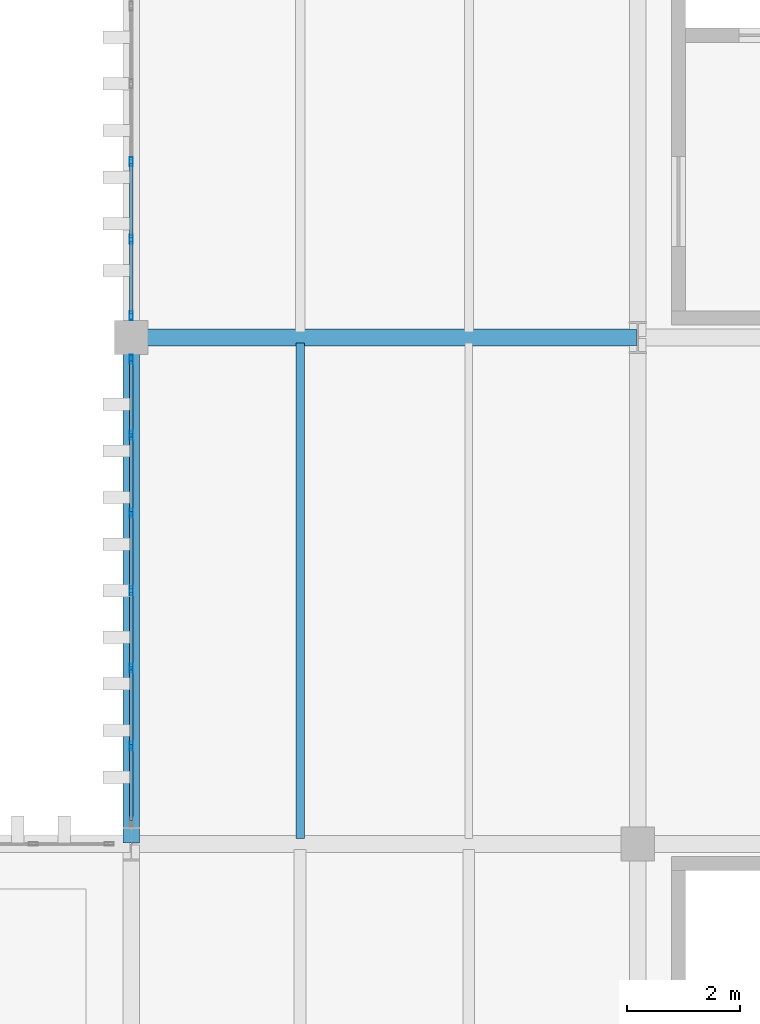
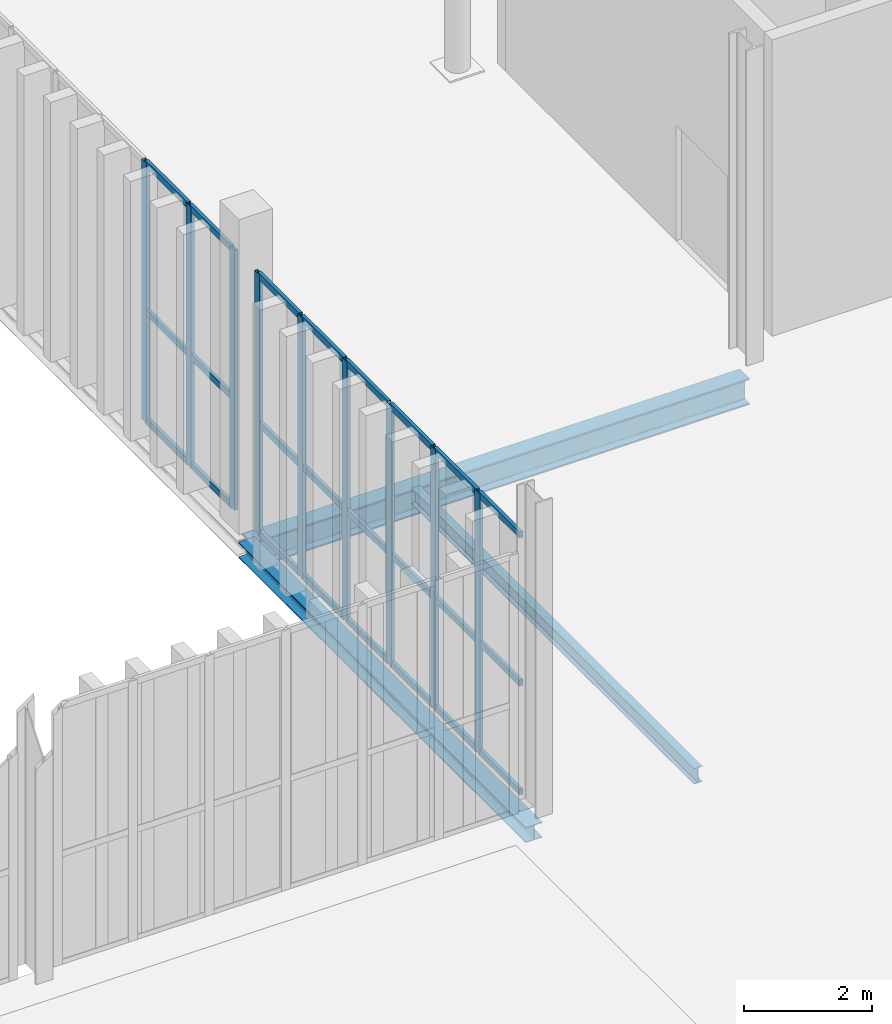
# One storey, part 115 of 211: 33 members, 3 beams, 2 elements without a shape of their own.
"""IFC4 building model written with IfcOpenShell, lengths in metres."""

import ifcopenshell
import ifcopenshell.guid

model = None  # the IFC model being written
_history = None  # IfcOwnerHistory: only IFC2X3 demands one
_inside = {}  # id of a spatial element -> (the spatial element, [elements in it])
_under = {}  # id of a project, library or spatial element -> (it, [spatial elements below it])
_declared = {}  # id of a project -> (the project, [libraries it declares])
_typed = {}  # id of a type object -> (the type object, [elements of that type])
_made_of = {}  # id of a material, layer set ... -> (it, [elements and type objects made of it])


def new_model(schema):
    """Start an empty IFC model of exactly this schema.

    Asked for "IFC4X3", IfcOpenShell would pick the latest addendum, in which some entities
    have other attributes; the version numbers below select the first issue.
    IFC2X3 requires an IfcOwnerHistory on every rooted entity: one is made here for all.
    """
    global model, _history
    if schema == "IFC4X3":
        model = ifcopenshell.file(schema_version=(4, 3, 0, 0))
    else:
        model = ifcopenshell.file(schema=schema)
    _inside.clear()
    _under.clear()
    _declared.clear()
    _typed.clear()
    _made_of.clear()
    _history = None
    if model.schema == "IFC2X3":
        org = make("IfcOrganization", Name="unknown")
        user = make(
            "IfcPersonAndOrganization",
            ThePerson=make("IfcPerson", FamilyName="unknown"),
            TheOrganization=org,
        )
        app = make(
            "IfcApplication",
            ApplicationDeveloper=org,
            Version="unknown",
            ApplicationFullName="unknown",
            ApplicationIdentifier="unknown",
        )
        _history = make(
            "IfcOwnerHistory",
            OwningUser=user,
            OwningApplication=app,
            ChangeAction="ADDED",
            CreationDate=0,
        )
    return model


def make(cls, **values):
    """One entity of the class cls with the attributes given. An attribute that is None is left unset."""
    return model.create_entity(
        cls, **{name: value for name, value in values.items() if value is not None}
    )


def rooted(cls, **values):
    """An entity with a GlobalId (a new one), such as an element, a storey or a relation."""
    return make(cls, GlobalId=ifcopenshell.guid.new(), OwnerHistory=_history, **values)


def si_unit(unit_type, name, prefix=None):
    """IfcSIUnit, for example si_unit("LENGTHUNIT", "METRE", prefix="MILLI")."""
    return make("IfcSIUnit", UnitType=unit_type, Prefix=prefix, Name=name)


def assignment(units):
    """IfcUnitAssignment: the units of a project."""
    return None if units is None else make("IfcUnitAssignment", Units=units)


def point(xyz):
    """IfcCartesianPoint."""
    return None if xyz is None else make("IfcCartesianPoint", Coordinates=xyz)


def direction(xyz):
    """IfcDirection."""
    return None if xyz is None else make("IfcDirection", DirectionRatios=xyz)


def frame(location, z_axis=None, x_axis=None):
    """IfcAxis2Placement3D, a coordinate frame: its origin and axes. An axis left out is left unset."""
    return make(
        "IfcAxis2Placement3D",
        Location=point(location),
        Axis=direction(z_axis),
        RefDirection=direction(x_axis),
    )


def frame_2d(location, x_axis=None):
    """IfcAxis2Placement2D, a coordinate frame in the plane: its origin and x axis."""
    return make(
        "IfcAxis2Placement2D", Location=point(location), RefDirection=direction(x_axis)
    )


def origin():
    """The frame at (0, 0, 0) with its axes left unset."""
    return frame((0.0, 0.0, 0.0))


def origin_2d():
    """The frame at (0, 0) in the plane with its x axis left unset."""
    return frame_2d((0.0, 0.0))


def place(relative_to, where):
    """IfcLocalPlacement: puts the frame where relative to a parent placement (None: the world)."""
    return make(
        "IfcLocalPlacement", PlacementRelTo=relative_to, RelativePlacement=where
    )


def context(
    kind, dimensions, precision=None, world=None, true_north=None, identifier=None
):
    """IfcGeometricRepresentationContext, for example the 3D "Model" context."""
    return make(
        "IfcGeometricRepresentationContext",
        ContextIdentifier=identifier,
        ContextType=kind,
        CoordinateSpaceDimension=dimensions,
        Precision=precision,
        WorldCoordinateSystem=world,
        TrueNorth=true_north,
    )


def subcontext(parent, identifier, kind, view, scale=None):
    """IfcGeometricRepresentationSubContext, for example "Body" below "Model"."""
    return make(
        "IfcGeometricRepresentationSubContext",
        ContextIdentifier=identifier,
        ContextType=kind,
        ParentContext=parent,
        TargetScale=scale,
        TargetView=view,
    )


def project(units=None, contexts=None):
    """IfcProject with its units and contexts."""
    return rooted(
        "IfcProject",
        Name="project",
        RepresentationContexts=contexts,
        UnitsInContext=assignment(units),
    )


def spatial(cls, under=None, at=None, **own):
    """A site, building, storey or space (cls), placed at a placement, below another one or the project."""
    s = rooted(cls, ObjectPlacement=at, **own)
    if under is not None:
        _under.setdefault(under.id(), (under, []))[1].append(s)
    return s


def profile(cls, at=None, kind="AREA", **sizes):
    """A parametric profile (cls). Its sizes go by their IFC names, for example OverallWidth=200.0."""
    return make(cls, ProfileType=kind, Position=at, **sizes)


def hollow_rectangle(**sizes):
    """IfcRectangleHollowProfileDef."""
    return profile("IfcRectangleHollowProfileDef", **sizes)


def i_section(**sizes):
    """IfcIShapeProfileDef."""
    return profile("IfcIShapeProfileDef", **sizes)


def extrude(swept, where, along, depth):
    """IfcExtrudedAreaSolid: the profile swept, set in the frame where, extruded along a direction by depth."""
    return make(
        "IfcExtrudedAreaSolid",
        SweptArea=swept,
        Position=where,
        ExtrudedDirection=direction(along),
        Depth=depth,
    )


def shape(context_of_items, identifier, shape_type, items):
    """IfcShapeRepresentation: the items that make up one representation, for example the "Body"."""
    return make(
        "IfcShapeRepresentation",
        ContextOfItems=context_of_items,
        RepresentationIdentifier=identifier,
        RepresentationType=shape_type,
        Items=items,
    )


def material(Name=None, Category=None):
    """IfcMaterial."""
    return make("IfcMaterial", Name=Name, Category=Category)


def layer(
    of_material, thickness, ventilated=None, Name=None, Category=None, Priority=None
):
    """IfcMaterialLayer: one layer of a wall or slab, of a material (None: an air gap)."""
    return make(
        "IfcMaterialLayer",
        Material=of_material,
        LayerThickness=thickness,
        IsVentilated=ventilated,
        Name=Name,
        Category=Category,
        Priority=Priority,
    )


def layer_set(layers, Name=None):
    """IfcMaterialLayerSet."""
    return make("IfcMaterialLayerSet", MaterialLayers=layers, LayerSetName=Name)


def material_profile(
    of_material, cross_section, Name=None, Category=None, Priority=None
):
    """IfcMaterialProfile: a cross section and its material."""
    return make(
        "IfcMaterialProfile",
        Name=Name,
        Material=of_material,
        Profile=cross_section,
        Priority=Priority,
        Category=Category,
    )


def profile_set(profiles, Name=None, composite=None):
    """IfcMaterialProfileSet."""
    return make(
        "IfcMaterialProfileSet",
        Name=Name,
        MaterialProfiles=profiles,
        CompositeProfile=composite,
    )


def made_of(thing, what):
    """Note that an element or type object is made of a material, layer set ...; save() writes the relation."""
    if what is not None:
        _made_of.setdefault(what.id(), (what, []))[1].append(thing)
    return thing


def type_object(cls, material=None, **own):
    """A type object (cls), such as IfcWallType, which elements share."""
    return made_of(rooted(cls, **own), material)


def element(
    cls,
    number,
    at=None,
    inside=None,
    cuts=None,
    type_object=None,
    material=None,
    context=None,
    identifier="Body",
    shape_type=None,
    held_by="IfcProductDefinitionShape",
    body=None,
    shapes=None,
    **own,
):
    """One element of the class cls, such as IfcWall. Its Tag is "e" and its number.

    at: its placement. inside: the storey or other place that contains it. cuts: it is an
    opening in that element (IfcRelVoidsElement). A single representation is given by context,
    identifier, shape_type and body (its items); several are given by shapes. held_by: the class
    of the entity that holds the representations. save() writes the other relations.
    """
    e = rooted(cls, Tag="e%d" % number, ObjectPlacement=at, **own)
    if body is not None:
        shapes = [shape(context, identifier, shape_type, body)]
    if shapes is not None:
        e.Representation = make(held_by, Representations=shapes)
    if inside is not None:
        _inside.setdefault(inside.id(), (inside, []))[1].append(e)
    if cuts is not None:
        rooted(
            "IfcRelVoidsElement", RelatingBuildingElement=cuts, RelatedOpeningElement=e
        )
    if type_object is not None:
        _typed.setdefault(type_object.id(), (type_object, []))[1].append(e)
    return made_of(e, material)


def aggregate(whole, parts):
    """IfcRelAggregates: a whole, such as a stair, and the parts it consists of."""
    return rooted("IfcRelAggregates", RelatingObject=whole, RelatedObjects=parts)


def save(model, path):
    """Write the relations noted so far, then the file.

    IfcRelAggregates (storeys below a building ...), IfcRelContainedInSpatialStructure (elements
    in a storey), IfcRelDefinesByType, IfcRelAssociatesMaterial and IfcRelDeclares: one each for
    every whole, place, type object, material and project.
    """
    for whole, parts in _under.values():
        aggregate(whole, parts)
    for where, things in _inside.values():
        rooted(
            "IfcRelContainedInSpatialStructure",
            RelatedElements=things,
            RelatingStructure=where,
        )
    for kind, things in _typed.values():
        rooted("IfcRelDefinesByType", RelatedObjects=things, RelatingType=kind)
    for what, things in _made_of.values():
        rooted("IfcRelAssociatesMaterial", RelatedObjects=things, RelatingMaterial=what)
    for by, libraries in _declared.values():
        rooted("IfcRelDeclares", RelatingContext=by, RelatedDefinitions=libraries)
    model.write(path)


model = new_model("IFC4")

# Units and contexts
model_context = context("Model", 3, precision=1e-05, world=origin(), true_north=direction((0.0, 1.0)))
body_context = subcontext(model_context, "Body", "Model", "MODEL_VIEW")
ifc_project = project(units=[si_unit("LENGTHUNIT", "METRE"), si_unit("AREAUNIT", "SQUARE_METRE"), si_unit("VOLUMEUNIT", "CUBIC_METRE"), si_unit("PLANEANGLEUNIT", "RADIAN"), si_unit("MASSUNIT", "GRAM", prefix="KILO")], contexts=[model_context])

# Site, building, storey
site_placement = place(None, origin())
site = spatial("IfcSite", under=ifc_project, at=site_placement, CompositionType="ELEMENT")
building_placement = place(site_placement, origin())
building = spatial("IfcBuilding", under=site, at=building_placement, Name="Barlavento Convention Centre", CompositionType="ELEMENT")
storey_placement = place(building_placement, frame((0.0, 0.0, 6.0)))
storey = spatial("IfcBuildingStorey", under=building, at=storey_placement, Name="L01", CompositionType="ELEMENT", Elevation=6.0)

# Curtain wall, members
ifc_material_1 = material(Name="Powder-coated aluminium and Low-E glass", Category="aluminium")
ifc_layer = layer(ifc_material_1, 0.195068359375)
ifc_layer_set = layer_set([ifc_layer], Name="ARC-CW-PATIO-A")
curtain_wall_type = type_object("IfcCurtainWallType", Name="ARC-CW-PATIO-A", PredefinedType="NOTDEFINED", material=ifc_layer_set)
curtain_wall_1_placement = place(storey_placement, origin())
curtain_wall_1 = element("IfcCurtainWall", 1, at=curtain_wall_1_placement, inside=storey, type_object=curtain_wall_type, Name="L01 unitised curtain wall CW11", PredefinedType="NOTDEFINED")
ifc_material_2 = material(Name="Powder-coated aluminium", Category="aluminium")
ifc_material_profile_1 = material_profile(ifc_material_2, hollow_rectangle(XDim=0.06005859375, YDim=0.159912109375, WallThickness=0.00390625, at=origin_2d()), Name="AL-MULL 60x160x4")
ifc_profile_set_1 = profile_set([ifc_material_profile_1], Name="Powder-coated aluminium")
member_type_1 = type_object("IfcMemberType", Name="ARC-CWM-60X160", PredefinedType="MULLION", material=ifc_profile_set_1)
member_1_placement = place(storey_placement, frame((171.0, 64.739990234375, 0.0), z_axis=(0.0, 0.0, 1.0), x_axis=(-1.0, 0.0, 0.0)))
member_1 = element("IfcMember", 2, at=member_1_placement, type_object=member_type_1, Name="CW11 mullion 2", PredefinedType="MULLION", context=body_context, shape_type="SweptSolid", body=[
    extrude(hollow_rectangle(XDim=0.06005859375, YDim=0.159912109375, WallThickness=0.00390625, at=origin_2d()), origin(), (0.0, 0.0, 1.0), 4.949951171875),
])
member_2_placement = place(storey_placement, frame((171.0, 66.1201171875, 0.0), z_axis=(0.0, 0.0, 1.0), x_axis=(-1.0, 0.0, 0.0)))
member_2 = element("IfcMember", 3, at=member_2_placement, type_object=member_type_1, Name="CW11 mullion 3", PredefinedType="MULLION", context=body_context, shape_type="SweptSolid", body=[
    extrude(hollow_rectangle(XDim=0.06005859375, YDim=0.159912109375, WallThickness=0.00390625, at=origin_2d()), origin(), (0.0, 0.0, 1.0), 4.949951171875),
])
member_3_placement = place(storey_placement, frame((171.0, 67.5, 0.0), z_axis=(0.0, 0.0, 1.0), x_axis=(-1.0, 0.0, 0.0)))
member_3 = element("IfcMember", 4, at=member_3_placement, type_object=member_type_1, Name="CW11 mullion 4", PredefinedType="MULLION", context=body_context, shape_type="SweptSolid", body=[
    extrude(hollow_rectangle(XDim=0.06005859375, YDim=0.159912109375, WallThickness=0.00390625, at=origin_2d()), origin(), (0.0, 0.0, 1.0), 4.949951171875),
])
member_4_placement = place(storey_placement, frame((171.0, 68.8798828125, 0.0), z_axis=(0.0, 0.0, 1.0), x_axis=(-1.0, 0.0, 0.0)))
member_4 = element("IfcMember", 5, at=member_4_placement, type_object=member_type_1, Name="CW11 mullion 5", PredefinedType="MULLION", context=body_context, shape_type="SweptSolid", body=[
    extrude(hollow_rectangle(XDim=0.06005859375, YDim=0.159912109375, WallThickness=0.00390625, at=origin_2d()), origin(), (0.0, 0.0, 1.0), 4.949951171875),
])
member_5_placement = place(storey_placement, frame((171.0, 70.260009765625, 0.0), z_axis=(0.0, 0.0, 1.0), x_axis=(-1.0, 0.0, 0.0)))
member_5 = element("IfcMember", 6, at=member_5_placement, type_object=member_type_1, Name="CW11 mullion 6", PredefinedType="MULLION", context=body_context, shape_type="SweptSolid", body=[
    extrude(hollow_rectangle(XDim=0.06005859375, YDim=0.159912109375, WallThickness=0.00390625, at=origin_2d()), origin(), (0.0, 0.0, 1.0), 4.949951171875),
])
member_6_placement = place(storey_placement, frame((171.0, 71.610107421875, 0.0), z_axis=(0.0, 0.0, 1.0), x_axis=(-1.0, 0.0, 0.0)))
member_6 = element("IfcMember", 7, at=member_6_placement, type_object=member_type_1, Name="CW11 mullion 7", PredefinedType="MULLION", context=body_context, shape_type="SweptSolid", body=[
    extrude(hollow_rectangle(XDim=0.06005859375, YDim=0.159912109375, WallThickness=0.00390625, at=origin_2d()), origin(), (0.0, 0.0, 1.0), 4.949951171875),
])

curtain_wall_2_placement = place(storey_placement, origin())
curtain_wall_2 = element("IfcCurtainWall", 8, at=curtain_wall_2_placement, inside=storey, type_object=curtain_wall_type, Name="L01 unitised curtain wall CW11", PredefinedType="NOTDEFINED")
member_7_placement = place(storey_placement, frame((171.0, 72.389892578125, 0.0), z_axis=(0.0, 0.0, 1.0), x_axis=(-1.0, 0.0, 0.0)))
member_7 = element("IfcMember", 9, at=member_7_placement, type_object=member_type_1, Name="CW11 mullion 1", PredefinedType="MULLION", context=body_context, shape_type="SweptSolid", body=[
    extrude(hollow_rectangle(XDim=0.06005859375, YDim=0.159912109375, WallThickness=0.00390625, at=origin_2d()), origin(), (0.0, 0.0, 1.0), 4.949951171875),
])
member_8_placement = place(storey_placement, frame((171.0, 73.742431640625, 0.0), z_axis=(0.0, 0.0, 1.0), x_axis=(-1.0, 0.0, 0.0)))
member_8 = element("IfcMember", 10, at=member_8_placement, type_object=member_type_1, Name="CW11 mullion 2", PredefinedType="MULLION", context=body_context, shape_type="SweptSolid", body=[
    extrude(hollow_rectangle(XDim=0.06005859375, YDim=0.159912109375, WallThickness=0.00390625, at=origin_2d()), origin(), (0.0, 0.0, 1.0), 4.949951171875),
])
member_9_placement = place(storey_placement, frame((171.0, 75.124755859375, 0.0), z_axis=(0.0, 0.0, 1.0), x_axis=(-1.0, 0.0, 0.0)))
member_9 = element("IfcMember", 11, at=member_9_placement, type_object=member_type_1, Name="CW11 mullion 3", PredefinedType="MULLION", context=body_context, shape_type="SweptSolid", body=[
    extrude(hollow_rectangle(XDim=0.06005859375, YDim=0.159912109375, WallThickness=0.00390625, at=origin_2d()), origin(), (0.0, 0.0, 1.0), 4.949951171875),
])

# Member
ifc_material_profile_2 = material_profile(ifc_material_2, hollow_rectangle(XDim=0.06005859375, YDim=0.1201171875, WallThickness=0.00390625, at=origin_2d()), Name="AL-TRAN 60x120x4")
ifc_profile_set_2 = profile_set([ifc_material_profile_2], Name="Powder-coated aluminium")
member_type_2 = type_object("IfcMemberType", Name="ARC-CWT-60X120", PredefinedType="USERDEFINED", material=ifc_profile_set_2)
member_10_placement = place(storey_placement, frame((171.0, 63.419921875, 0.030029296875), z_axis=(0.0, 1.0, 0.0), x_axis=(-1.0, 0.0, 0.0)))
member_10 = element("IfcMember", 12, at=member_10_placement, type_object=member_type_2, Name="CW11 transom 1.1", ObjectType="TRANSOM", PredefinedType="USERDEFINED", context=body_context, shape_type="SweptSolid", body=[
    extrude(hollow_rectangle(XDim=0.06005859375, YDim=0.1201171875, WallThickness=0.00390625, at=origin_2d()), origin(), (0.0, 0.0, 1.0), 1.2900390625),
])

member_11_placement = place(storey_placement, frame((171.0, 63.419921875, 2.10009765625), z_axis=(0.0, 1.0, 0.0), x_axis=(-1.0, 0.0, 0.0)))
member_11 = element("IfcMember", 13, at=member_11_placement, type_object=member_type_2, Name="CW11 transom 1.2", ObjectType="TRANSOM", PredefinedType="USERDEFINED", context=body_context, shape_type="SweptSolid", body=[
    extrude(hollow_rectangle(XDim=0.06005859375, YDim=0.1201171875, WallThickness=0.00390625, at=origin_2d()), origin(), (0.0, 0.0, 1.0), 1.2900390625),
])

member_12_placement = place(storey_placement, frame((171.0, 63.419921875, 4.919921875), z_axis=(0.0, 1.0, 0.0), x_axis=(-1.0, 0.0, 0.0)))
member_12 = element("IfcMember", 14, at=member_12_placement, type_object=member_type_2, Name="CW11 transom 1.3", ObjectType="TRANSOM", PredefinedType="USERDEFINED", context=body_context, shape_type="SweptSolid", body=[
    extrude(hollow_rectangle(XDim=0.06005859375, YDim=0.1201171875, WallThickness=0.00390625, at=origin_2d()), origin(), (0.0, 0.0, 1.0), 1.2900390625),
])

member_13_placement = place(storey_placement, frame((171.0, 64.77001953125, 0.030029296875), z_axis=(0.0, 1.0, 0.0), x_axis=(-1.0, 0.0, 0.0)))
member_13 = element("IfcMember", 15, at=member_13_placement, type_object=member_type_2, Name="CW11 transom 2.1", ObjectType="TRANSOM", PredefinedType="USERDEFINED", context=body_context, shape_type="SweptSolid", body=[
    extrude(hollow_rectangle(XDim=0.06005859375, YDim=0.1201171875, WallThickness=0.00390625, at=origin_2d()), origin(), (0.0, 0.0, 1.0), 1.320068359375),
])

member_14_placement = place(storey_placement, frame((171.0, 64.77001953125, 2.10009765625), z_axis=(0.0, 1.0, 0.0), x_axis=(-1.0, 0.0, 0.0)))
member_14 = element("IfcMember", 16, at=member_14_placement, type_object=member_type_2, Name="CW11 transom 2.2", ObjectType="TRANSOM", PredefinedType="USERDEFINED", context=body_context, shape_type="SweptSolid", body=[
    extrude(hollow_rectangle(XDim=0.06005859375, YDim=0.1201171875, WallThickness=0.00390625, at=origin_2d()), origin(), (0.0, 0.0, 1.0), 1.320068359375),
])

member_15_placement = place(storey_placement, frame((171.0, 64.77001953125, 4.919921875), z_axis=(0.0, 1.0, 0.0), x_axis=(-1.0, 0.0, 0.0)))
member_15 = element("IfcMember", 17, at=member_15_placement, type_object=member_type_2, Name="CW11 transom 2.3", ObjectType="TRANSOM", PredefinedType="USERDEFINED", context=body_context, shape_type="SweptSolid", body=[
    extrude(hollow_rectangle(XDim=0.06005859375, YDim=0.1201171875, WallThickness=0.00390625, at=origin_2d()), origin(), (0.0, 0.0, 1.0), 1.320068359375),
])

member_16_placement = place(storey_placement, frame((171.0, 66.14990234375, 0.030029296875), z_axis=(0.0, 1.0, 0.0), x_axis=(-1.0, 0.0, 0.0)))
member_16 = element("IfcMember", 18, at=member_16_placement, type_object=member_type_2, Name="CW11 transom 3.1", ObjectType="TRANSOM", PredefinedType="USERDEFINED", context=body_context, shape_type="SweptSolid", body=[
    extrude(hollow_rectangle(XDim=0.06005859375, YDim=0.1201171875, WallThickness=0.00390625, at=origin_2d()), origin(), (0.0, 0.0, 1.0), 1.320068359375),
])

member_17_placement = place(storey_placement, frame((171.0, 66.14990234375, 2.10009765625), z_axis=(0.0, 1.0, 0.0), x_axis=(-1.0, 0.0, 0.0)))
member_17 = element("IfcMember", 19, at=member_17_placement, type_object=member_type_2, Name="CW11 transom 3.2", ObjectType="TRANSOM", PredefinedType="USERDEFINED", context=body_context, shape_type="SweptSolid", body=[
    extrude(hollow_rectangle(XDim=0.06005859375, YDim=0.1201171875, WallThickness=0.00390625, at=origin_2d()), origin(), (0.0, 0.0, 1.0), 1.320068359375),
])

member_18_placement = place(storey_placement, frame((171.0, 66.14990234375, 4.919921875), z_axis=(0.0, 1.0, 0.0), x_axis=(-1.0, 0.0, 0.0)))
member_18 = element("IfcMember", 20, at=member_18_placement, type_object=member_type_2, Name="CW11 transom 3.3", ObjectType="TRANSOM", PredefinedType="USERDEFINED", context=body_context, shape_type="SweptSolid", body=[
    extrude(hollow_rectangle(XDim=0.06005859375, YDim=0.1201171875, WallThickness=0.00390625, at=origin_2d()), origin(), (0.0, 0.0, 1.0), 1.320068359375),
])

member_19_placement = place(storey_placement, frame((171.0, 67.530029296875, 0.030029296875), z_axis=(0.0, 1.0, 0.0), x_axis=(-1.0, 0.0, 0.0)))
member_19 = element("IfcMember", 21, at=member_19_placement, type_object=member_type_2, Name="CW11 transom 4.1", ObjectType="TRANSOM", PredefinedType="USERDEFINED", context=body_context, shape_type="SweptSolid", body=[
    extrude(hollow_rectangle(XDim=0.06005859375, YDim=0.1201171875, WallThickness=0.00390625, at=origin_2d()), origin(), (0.0, 0.0, 1.0), 1.320068359375),
])

member_20_placement = place(storey_placement, frame((171.0, 67.530029296875, 2.10009765625), z_axis=(0.0, 1.0, 0.0), x_axis=(-1.0, 0.0, 0.0)))
member_20 = element("IfcMember", 22, at=member_20_placement, type_object=member_type_2, Name="CW11 transom 4.2", ObjectType="TRANSOM", PredefinedType="USERDEFINED", context=body_context, shape_type="SweptSolid", body=[
    extrude(hollow_rectangle(XDim=0.06005859375, YDim=0.1201171875, WallThickness=0.00390625, at=origin_2d()), origin(), (0.0, 0.0, 1.0), 1.320068359375),
])

member_21_placement = place(storey_placement, frame((171.0, 67.530029296875, 4.919921875), z_axis=(0.0, 1.0, 0.0), x_axis=(-1.0, 0.0, 0.0)))
member_21 = element("IfcMember", 23, at=member_21_placement, type_object=member_type_2, Name="CW11 transom 4.3", ObjectType="TRANSOM", PredefinedType="USERDEFINED", context=body_context, shape_type="SweptSolid", body=[
    extrude(hollow_rectangle(XDim=0.06005859375, YDim=0.1201171875, WallThickness=0.00390625, at=origin_2d()), origin(), (0.0, 0.0, 1.0), 1.320068359375),
])

member_22_placement = place(storey_placement, frame((171.0, 68.909912109375, 0.030029296875), z_axis=(0.0, 1.0, 0.0), x_axis=(-1.0, 0.0, 0.0)))
member_22 = element("IfcMember", 24, at=member_22_placement, type_object=member_type_2, Name="CW11 transom 5.1", ObjectType="TRANSOM", PredefinedType="USERDEFINED", context=body_context, shape_type="SweptSolid", body=[
    extrude(hollow_rectangle(XDim=0.06005859375, YDim=0.1201171875, WallThickness=0.00390625, at=origin_2d()), origin(), (0.0, 0.0, 1.0), 1.320068359375),
])

member_23_placement = place(storey_placement, frame((171.0, 68.909912109375, 2.10009765625), z_axis=(0.0, 1.0, 0.0), x_axis=(-1.0, 0.0, 0.0)))
member_23 = element("IfcMember", 25, at=member_23_placement, type_object=member_type_2, Name="CW11 transom 5.2", ObjectType="TRANSOM", PredefinedType="USERDEFINED", context=body_context, shape_type="SweptSolid", body=[
    extrude(hollow_rectangle(XDim=0.06005859375, YDim=0.1201171875, WallThickness=0.00390625, at=origin_2d()), origin(), (0.0, 0.0, 1.0), 1.320068359375),
])

member_24_placement = place(storey_placement, frame((171.0, 68.909912109375, 4.919921875), z_axis=(0.0, 1.0, 0.0), x_axis=(-1.0, 0.0, 0.0)))
member_24 = element("IfcMember", 26, at=member_24_placement, type_object=member_type_2, Name="CW11 transom 5.3", ObjectType="TRANSOM", PredefinedType="USERDEFINED", context=body_context, shape_type="SweptSolid", body=[
    extrude(hollow_rectangle(XDim=0.06005859375, YDim=0.1201171875, WallThickness=0.00390625, at=origin_2d()), origin(), (0.0, 0.0, 1.0), 1.320068359375),
])

member_25_placement = place(storey_placement, frame((171.0, 70.2900390625, 0.030029296875), z_axis=(0.0, 1.0, 0.0), x_axis=(-1.0, 0.0, 0.0)))
member_25 = element("IfcMember", 27, at=member_25_placement, type_object=member_type_2, Name="CW11 transom 6.1", ObjectType="TRANSOM", PredefinedType="USERDEFINED", context=body_context, shape_type="SweptSolid", body=[
    extrude(hollow_rectangle(XDim=0.06005859375, YDim=0.1201171875, WallThickness=0.00390625, at=origin_2d()), origin(), (0.0, 0.0, 1.0), 1.2900390625),
])

member_26_placement = place(storey_placement, frame((171.0, 70.2900390625, 2.10009765625), z_axis=(0.0, 1.0, 0.0), x_axis=(-1.0, 0.0, 0.0)))
member_26 = element("IfcMember", 28, at=member_26_placement, type_object=member_type_2, Name="CW11 transom 6.2", ObjectType="TRANSOM", PredefinedType="USERDEFINED", context=body_context, shape_type="SweptSolid", body=[
    extrude(hollow_rectangle(XDim=0.06005859375, YDim=0.1201171875, WallThickness=0.00390625, at=origin_2d()), origin(), (0.0, 0.0, 1.0), 1.2900390625),
])

member_27_placement = place(storey_placement, frame((171.0, 70.2900390625, 4.919921875), z_axis=(0.0, 1.0, 0.0), x_axis=(-1.0, 0.0, 0.0)))
member_27 = element("IfcMember", 29, at=member_27_placement, type_object=member_type_2, Name="CW11 transom 6.3", ObjectType="TRANSOM", PredefinedType="USERDEFINED", context=body_context, shape_type="SweptSolid", body=[
    extrude(hollow_rectangle(XDim=0.06005859375, YDim=0.1201171875, WallThickness=0.00390625, at=origin_2d()), origin(), (0.0, 0.0, 1.0), 1.2900390625),
])

aggregate(curtain_wall_1, [member_1, member_2, member_3, member_4, member_5, member_6, member_10, member_11, member_12, member_13, member_14, member_15, member_16, member_17, member_18, member_19, member_20, member_21, member_22, member_23, member_24, member_25, member_26, member_27])

member_28_placement = place(storey_placement, frame((171.0, 72.419921875, 0.030029296875), z_axis=(0.0, 1.0, 0.0), x_axis=(-1.0, 0.0, 0.0)))
member_28 = element("IfcMember", 30, at=member_28_placement, type_object=member_type_2, Name="CW11 transom 1.1", ObjectType="TRANSOM", PredefinedType="USERDEFINED", context=body_context, shape_type="SweptSolid", body=[
    extrude(hollow_rectangle(XDim=0.06005859375, YDim=0.1201171875, WallThickness=0.00390625, at=origin_2d()), origin(), (0.0, 0.0, 1.0), 1.29248046875),
])

member_29_placement = place(storey_placement, frame((171.0, 72.419921875, 2.10009765625), z_axis=(0.0, 1.0, 0.0), x_axis=(-1.0, 0.0, 0.0)))
member_29 = element("IfcMember", 31, at=member_29_placement, type_object=member_type_2, Name="CW11 transom 1.2", ObjectType="TRANSOM", PredefinedType="USERDEFINED", context=body_context, shape_type="SweptSolid", body=[
    extrude(hollow_rectangle(XDim=0.06005859375, YDim=0.1201171875, WallThickness=0.00390625, at=origin_2d()), origin(), (0.0, 0.0, 1.0), 1.29248046875),
])

member_30_placement = place(storey_placement, frame((171.0, 72.419921875, 4.919921875), z_axis=(0.0, 1.0, 0.0), x_axis=(-1.0, 0.0, 0.0)))
member_30 = element("IfcMember", 32, at=member_30_placement, type_object=member_type_2, Name="CW11 transom 1.3", ObjectType="TRANSOM", PredefinedType="USERDEFINED", context=body_context, shape_type="SweptSolid", body=[
    extrude(hollow_rectangle(XDim=0.06005859375, YDim=0.1201171875, WallThickness=0.00390625, at=origin_2d()), origin(), (0.0, 0.0, 1.0), 1.29248046875),
])

member_31_placement = place(storey_placement, frame((171.0, 73.772216796875, 0.030029296875), z_axis=(0.0, 1.0, 0.0), x_axis=(-1.0, 0.0, 0.0)))
member_31 = element("IfcMember", 33, at=member_31_placement, type_object=member_type_2, Name="CW11 transom 2.1", ObjectType="TRANSOM", PredefinedType="USERDEFINED", context=body_context, shape_type="SweptSolid", body=[
    extrude(hollow_rectangle(XDim=0.06005859375, YDim=0.1201171875, WallThickness=0.00390625, at=origin_2d()), origin(), (0.0, 0.0, 1.0), 1.322509765625),
])

member_32_placement = place(storey_placement, frame((171.0, 73.772216796875, 2.10009765625), z_axis=(0.0, 1.0, 0.0), x_axis=(-1.0, 0.0, 0.0)))
member_32 = element("IfcMember", 34, at=member_32_placement, type_object=member_type_2, Name="CW11 transom 2.2", ObjectType="TRANSOM", PredefinedType="USERDEFINED", context=body_context, shape_type="SweptSolid", body=[
    extrude(hollow_rectangle(XDim=0.06005859375, YDim=0.1201171875, WallThickness=0.00390625, at=origin_2d()), origin(), (0.0, 0.0, 1.0), 1.322509765625),
])

member_33_placement = place(storey_placement, frame((171.0, 73.772216796875, 4.919921875), z_axis=(0.0, 1.0, 0.0), x_axis=(-1.0, 0.0, 0.0)))
member_33 = element("IfcMember", 35, at=member_33_placement, type_object=member_type_2, Name="CW11 transom 2.3", ObjectType="TRANSOM", PredefinedType="USERDEFINED", context=body_context, shape_type="SweptSolid", body=[
    extrude(hollow_rectangle(XDim=0.06005859375, YDim=0.1201171875, WallThickness=0.00390625, at=origin_2d()), origin(), (0.0, 0.0, 1.0), 1.322509765625),
])

aggregate(curtain_wall_2, [member_7, member_8, member_9, member_28, member_29, member_30, member_31, member_32, member_33])

# Beams
ifc_material_3 = material(Name="Steel S355", Category="steel")
ifc_material_profile_3 = material_profile(ifc_material_3, i_section(OverallWidth=0.14990234375, OverallDepth=0.300048828125, WebThickness=0.007080078125, FlangeThickness=0.0107421875, FilletRadius=0.014892578125, at=origin_2d()), Name="IPE 300")
ifc_profile_set_3 = profile_set([ifc_material_profile_3], Name="Steel S355")
beam_type_1 = type_object("IfcBeamType", Name="STR-BM-JST-IPE300", PredefinedType="JOIST", material=ifc_profile_set_3)
beam_1_placement = place(storey_placement, frame((174.0, 63.094970703125, -0.510009765625), z_axis=(0.0, 1.0, 0.0), x_axis=(-1.0, 0.0, 0.0)))
element("IfcBeam", 36, at=beam_1_placement, inside=storey, type_object=beam_type_1, Name="L01 composite floor joist SJ07", PredefinedType="JOIST", context=body_context, shape_type="SweptSolid", body=[
    extrude(i_section(OverallWidth=0.14990234375, OverallDepth=0.300048828125, WebThickness=0.007080078125, FlangeThickness=0.0107421875, FilletRadius=0.014892578125, at=origin_2d()), origin(), (0.0, 0.0, 1.0), 8.81005859375),
])
ifc_material_profile_4 = material_profile(ifc_material_3, i_section(OverallWidth=0.300048828125, OverallDepth=0.5, WebThickness=0.014404296875, FlangeThickness=0.028076171875, FilletRadius=0.027099609375, at=origin_2d()), Name="HEB 500")
ifc_profile_set_4 = profile_set([ifc_material_profile_4], Name="Steel S355")
beam_type_2 = type_object("IfcBeamType", Name="STR-BM-PRI-HEB500", PredefinedType="BEAM", material=ifc_profile_set_4)
beam_2_placement = place(storey_placement, frame((171.02001953125, 72.0, -0.610107421875), z_axis=(1.0, 0.0, 0.0), x_axis=(0.0, 1.0, 0.0)))
element("IfcBeam", 37, at=beam_2_placement, inside=storey, type_object=beam_type_2, Name="L01 primary girder BG09", PredefinedType="BEAM", context=body_context, shape_type="SweptSolid", body=[
    extrude(i_section(OverallWidth=0.300048828125, OverallDepth=0.5, WebThickness=0.014404296875, FlangeThickness=0.028076171875, FilletRadius=0.027099609375, at=origin_2d()), origin(), (0.0, 0.0, 1.0), 8.9599609375),
])
ifc_material_profile_5 = material_profile(ifc_material_3, i_section(OverallWidth=0.300048828125, OverallDepth=0.2900390625, WebThickness=0.008544921875, FlangeThickness=0.013916015625, FilletRadius=0.027099609375, at=origin_2d()), Name="HEA 300")
ifc_profile_set_5 = profile_set([ifc_material_profile_5], Name="Steel S355")
beam_type_3 = type_object("IfcBeamType", Name="STR-BM-SPN-HEA300", PredefinedType="SPANDREL", material=ifc_profile_set_5)
beam_3_placement = place(storey_placement, frame((171.0, 63.02001953125, -0.5048828125), z_axis=(0.0, 1.0, 0.0), x_axis=(-1.0, 0.0, 0.0)))
element("IfcBeam", 38, at=beam_3_placement, inside=storey, type_object=beam_type_3, Name="L01 grid girder SP02", PredefinedType="SPANDREL", context=body_context, shape_type="SweptSolid", body=[
    extrude(i_section(OverallWidth=0.300048828125, OverallDepth=0.2900390625, WebThickness=0.008544921875, FlangeThickness=0.013916015625, FilletRadius=0.027099609375, at=origin_2d()), origin(), (0.0, 0.0, 1.0), 8.9599609375),
])

save(model, "model.ifc")
